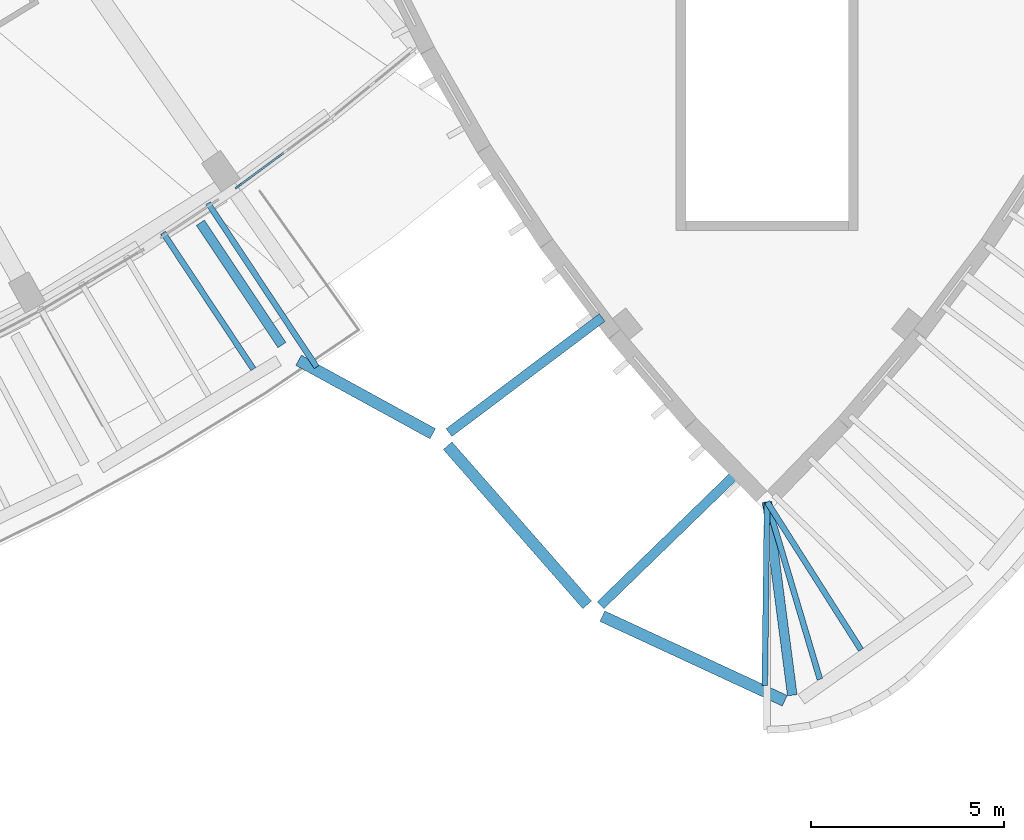
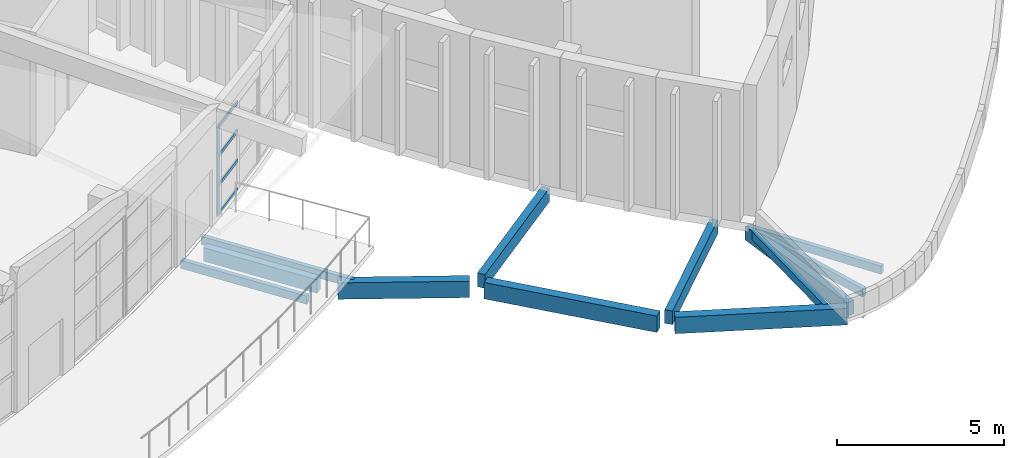
# One storey, part 22 of 93: 12 beams, 5 members, 1 element without a shape of its own.
"""IFC4 building model written with IfcOpenShell, lengths in metres."""

from ifc_helpers import new_model, si_unit, direction, frame, origin, origin_2d, place, context, subcontext, project, spatial, rectangle, extrude, material, material_profile, profile_set, type_object, element, aggregate, save


model = new_model("IFC4")

# Units and contexts
model_context = context("Model", 3, precision=1e-05, world=origin(), true_north=direction((0.0, 1.0)))
body_context = subcontext(model_context, "Body", "Model", "MODEL_VIEW")
ifc_project = project(units=[si_unit("LENGTHUNIT", "METRE"), si_unit("AREAUNIT", "SQUARE_METRE"), si_unit("VOLUMEUNIT", "CUBIC_METRE"), si_unit("PLANEANGLEUNIT", "RADIAN"), si_unit("MASSUNIT", "GRAM", prefix="KILO")], contexts=[model_context])

# Site, building, storey
site_placement = place(None, origin())
site = spatial("IfcSite", under=ifc_project, at=site_placement, CompositionType="ELEMENT")
building_placement = place(site_placement, origin())
building = spatial("IfcBuilding", under=site, at=building_placement, Name="Tide Square Theatres", CompositionType="ELEMENT")
storey_placement = place(building_placement, frame((0.0, 0.0, 5.39990234375)))
storey = spatial("IfcBuildingStorey", under=building, at=storey_placement, Name="L01", CompositionType="ELEMENT", Elevation=5.39990234375)

# Curtain wall, members
ifc_material_1 = material(Name="Aluminium 6063-T5", Category="aluminium")
curtain_wall_type = type_object("IfcCurtainWallType", Name="Stick system curtain wall 3000 high", PredefinedType="USERDEFINED", material=ifc_material_1)
curtain_wall_placement = place(storey_placement, origin())
curtain_wall = element("IfcCurtainWall", 1, at=curtain_wall_placement, inside=storey, type_object=curtain_wall_type, Name="Foyer outer curtain wall", ObjectType="STICK SYSTEM", PredefinedType="USERDEFINED")
ifc_material_2 = material(Name="Aluminium 6063-T5", Category="aluminium")
ifc_material_profile_1 = material_profile(ifc_material_2, rectangle(XDim=0.050048828125, YDim=0.199951171875, at=origin_2d()))
ifc_profile_set_1 = profile_set([ifc_material_profile_1], Name="Aluminium 6063-T5")
member_type_1 = type_object("IfcMemberType", Name="Aluminium mullion 50 x 200", PredefinedType="MULLION", material=ifc_profile_set_1)
member_1_placement = place(storey_placement, frame((118.33984375, 18.9521484375, 0.0), z_axis=(0.0, 0.0, 1.0), x_axis=(-0.593507553151, 0.804828419201, 0.0)))
member_1 = element("IfcMember", 2, at=member_1_placement, type_object=member_type_1, Name="CW-10 mullion 1", PredefinedType="MULLION", context=body_context, shape_type="SweptSolid", body=[
    extrude(rectangle(XDim=0.050048828125, YDim=0.199951171875, at=origin_2d()), origin(), (0.0, 0.0, 1.0), 3.239013671875),
])
ifc_material_3 = material(Name="Aluminium 6063-T5", Category="aluminium")
ifc_material_profile_2 = material_profile(ifc_material_3, rectangle(XDim=0.050048828125, YDim=0.125, at=origin_2d()))
ifc_profile_set_2 = profile_set([ifc_material_profile_2], Name="Aluminium 6063-T5")
member_type_2 = type_object("IfcMemberType", Name="Aluminium transom 50 x 125", PredefinedType="USERDEFINED", material=ifc_profile_set_2)
member_2_placement = place(storey_placement, frame((118.360107421875, 18.966796875, 0.025146484375), z_axis=(0.804771152012, 0.593585202721, 0.0), x_axis=(-0.593585202721, 0.804771152012, 0.0)))
member_2 = element("IfcMember", 3, at=member_2_placement, type_object=member_type_2, Name="CW-10 transom 1.1", ObjectType="TRANSOM", PredefinedType="USERDEFINED", context=body_context, shape_type="SweptSolid", body=[
    extrude(rectangle(XDim=0.050048828125, YDim=0.125, at=origin_2d()), origin(), (0.0, 0.0, 1.0), 1.423095703125),
])
member_3_placement = place(storey_placement, frame((118.360107421875, 18.966796875, 1.07958984375), z_axis=(0.804771152012, 0.593585202721, 0.0), x_axis=(-0.593585202721, 0.804771152012, 0.0)))
member_3 = element("IfcMember", 4, at=member_3_placement, type_object=member_type_2, Name="CW-10 transom 1.2", ObjectType="TRANSOM", PredefinedType="USERDEFINED", context=body_context, shape_type="SweptSolid", body=[
    extrude(rectangle(XDim=0.050048828125, YDim=0.125, at=origin_2d()), origin(), (0.0, 0.0, 1.0), 1.423095703125),
])
member_4_placement = place(storey_placement, frame((118.360107421875, 18.966796875, 2.159423828125), z_axis=(0.804771152012, 0.593585202721, 0.0), x_axis=(-0.593585202721, 0.804771152012, 0.0)))
member_4 = element("IfcMember", 5, at=member_4_placement, type_object=member_type_2, Name="CW-10 transom 1.3", ObjectType="TRANSOM", PredefinedType="USERDEFINED", context=body_context, shape_type="SweptSolid", body=[
    extrude(rectangle(XDim=0.050048828125, YDim=0.125, at=origin_2d()), origin(), (0.0, 0.0, 1.0), 1.423095703125),
])
member_5_placement = place(storey_placement, frame((118.360107421875, 18.966796875, 3.214111328125), z_axis=(0.804771152012, 0.593585202721, 0.0), x_axis=(-0.593585202721, 0.804771152012, 0.0)))
member_5 = element("IfcMember", 6, at=member_5_placement, type_object=member_type_2, Name="CW-10 transom 1.4", ObjectType="TRANSOM", PredefinedType="USERDEFINED", context=body_context, shape_type="SweptSolid", body=[
    extrude(rectangle(XDim=0.050048828125, YDim=0.125, at=origin_2d()), origin(), (0.0, 0.0, 1.0), 1.423095703125),
])
aggregate(curtain_wall, [member_1, member_2, member_3, member_4, member_5])

# Beams
ifc_material_4 = material(Name="Concrete C35", Category="concrete")
ifc_material_profile_3 = material_profile(ifc_material_4, rectangle(XDim=0.14990234375, YDim=0.300048828125, at=origin_2d()))
ifc_profile_set_3 = profile_set([ifc_material_profile_3], Name="Concrete C35")
beam_type_1 = type_object("IfcBeamType", Name="RC arcade roof rib 150 x 300", PredefinedType="JOIST", material=ifc_profile_set_3)
beam_1_placement = place(storey_placement, frame((118.722900390625, 14.223388671875, -0.349853515625), z_axis=(-0.552498837897, 0.833513667628, 0.0), x_axis=(-0.833513667628, -0.552498837897, 0.0)))
element("IfcBeam", 7, at=beam_1_placement, inside=storey, type_object=beam_type_1, Name="Arcade roof rib", PredefinedType="JOIST", context=body_context, shape_type="SweptSolid", body=[
    extrude(rectangle(XDim=0.14990234375, YDim=0.300048828125, at=origin_2d()), origin(), (0.0, 0.0, 1.0), 4.2265625),
])
beam_2_placement = place(storey_placement, frame((120.35888671875, 14.274169921875, -0.349853515625), z_axis=(-0.552516937817, 0.83350166972, 0.0), x_axis=(-0.83350166972, -0.552516937817, 0.0)))
element("IfcBeam", 8, at=beam_2_placement, inside=storey, type_object=beam_type_1, Name="Arcade roof rib", PredefinedType="JOIST", context=body_context, shape_type="SweptSolid", body=[
    extrude(rectangle(XDim=0.14990234375, YDim=0.300048828125, at=origin_2d()), origin(), (0.0, 0.0, 1.0), 5.088134765625),
])
beam_3_placement = place(storey_placement, frame((131.937744140625, 6.04345703125, -0.349853515625), z_axis=(0.0131229049, 0.999913890976, 0.0), x_axis=(-0.999913890976, 0.0131229049, 0.0)))
element("IfcBeam", 9, at=beam_3_placement, inside=storey, type_object=beam_type_1, Name="Arcade roof rib", PredefinedType="JOIST", context=body_context, shape_type="SweptSolid", body=[
    extrude(rectangle(XDim=0.14990234375, YDim=0.300048828125, at=origin_2d()), origin(), (0.0, 0.0, 1.0), 4.744140625),
])
beam_4_placement = place(storey_placement, frame((133.364013671875, 6.206787109375, -0.349853515625), z_axis=(-0.285411694235, 0.958405010835, 0.0), x_axis=(-0.958405010835, -0.285411694235, 0.0)))
element("IfcBeam", 10, at=beam_4_placement, inside=storey, type_object=beam_type_1, Name="Arcade roof rib", PredefinedType="JOIST", context=body_context, shape_type="SweptSolid", body=[
    extrude(rectangle(XDim=0.14990234375, YDim=0.300048828125, at=origin_2d()), origin(), (0.0, 0.0, 1.0), 4.779052734375),
])
beam_5_placement = place(storey_placement, frame((134.42529296875, 6.968994140625, -0.349853515625), z_axis=(-0.536180312036, 0.844103472914, 0.0), x_axis=(-0.844103472914, -0.536180312036, 0.0)))
element("IfcBeam", 11, at=beam_5_placement, inside=storey, type_object=beam_type_1, Name="Arcade roof rib", PredefinedType="JOIST", context=body_context, shape_type="SweptSolid", body=[
    extrude(rectangle(XDim=0.14990234375, YDim=0.300048828125, at=origin_2d()), origin(), (0.0, 0.0, 1.0), 4.523193359375),
])
ifc_material_5 = material(Name="Concrete C35", Category="concrete")
ifc_material_profile_4 = material_profile(ifc_material_5, rectangle(XDim=0.25, YDim=0.5, at=origin_2d()))
ifc_profile_set_4 = profile_set([ifc_material_profile_4], Name="Concrete C35")
beam_type_2 = type_object("IfcBeamType", Name="RC beam 250 x 500", PredefinedType="BEAM", material=ifc_profile_set_4)
beam_6_placement = place(storey_placement, frame((119.462646484375, 14.843505859375, -0.449951171875), z_axis=(-0.554967040546, 0.831872336304, 0.0), x_axis=(-0.831872336304, -0.554967040546, 0.0)))
element("IfcBeam", 12, at=beam_6_placement, inside=storey, type_object=beam_type_2, Name="Arcade slab beam", PredefinedType="BEAM", context=body_context, shape_type="SweptSolid", body=[
    extrude(rectangle(XDim=0.25, YDim=0.5, at=origin_2d()), origin(), (0.0, 0.0, 1.0), 3.800048828125),
])
beam_7_placement = place(storey_placement, frame((123.778564453125, 12.581787109375, -0.449951171875), z_axis=(0.799431437288, 0.600757336264, 0.0), x_axis=(-0.600757336264, 0.799431437288, 0.0)))
element("IfcBeam", 13, at=beam_7_placement, inside=storey, type_object=beam_type_2, Name="Arcade slab beam", PredefinedType="BEAM", context=body_context, shape_type="SweptSolid", body=[
    extrude(rectangle(XDim=0.25, YDim=0.5, at=origin_2d()), origin(), (0.0, 0.0, 1.0), 4.94970703125),
])
beam_8_placement = place(storey_placement, frame((127.69384765625, 8.116943359375, -0.449951171875), z_axis=(0.717728574475, 0.696322980651, 0.0), x_axis=(-0.696322980651, 0.717728574475, 0.0)))
element("IfcBeam", 14, at=beam_8_placement, inside=storey, type_object=beam_type_2, Name="Arcade slab beam", PredefinedType="BEAM", context=body_context, shape_type="SweptSolid", body=[
    extrude(rectangle(XDim=0.25, YDim=0.5, at=origin_2d()), origin(), (0.0, 0.0, 1.0), 4.949951171875),
])
beam_9_placement = place(storey_placement, frame((132.64990234375, 5.795166015625, -0.449951171875), z_axis=(-0.129100748566, 0.991631482316, 0.0), x_axis=(-0.991631482316, -0.129100748566, 0.0)))
element("IfcBeam", 15, at=beam_9_placement, inside=storey, type_object=beam_type_2, Name="Arcade slab beam", PredefinedType="BEAM", context=body_context, shape_type="SweptSolid", body=[
    extrude(rectangle(XDim=0.25, YDim=0.5, at=origin_2d()), origin(), (0.0, 0.0, 1.0), 5.0341796875),
])
ifc_material_6 = material(Name="Concrete C35", Category="concrete")
ifc_material_profile_5 = material_profile(ifc_material_6, rectangle(XDim=0.300048828125, YDim=0.60009765625, at=origin_2d()))
ifc_profile_set_5 = profile_set([ifc_material_profile_5], Name="Concrete C35")
beam_type_3 = type_object("IfcBeamType", Name="RC beam 300 x 600", PredefinedType="BEAM", material=ifc_profile_set_5)
beam_10_placement = place(storey_placement, frame((119.892333984375, 14.449951171875, -0.5), z_axis=(0.877115472539, -0.480279551754, 0.0), x_axis=(0.480279551754, 0.877115472539, 0.0)))
element("IfcBeam", 16, at=beam_10_placement, inside=storey, type_object=beam_type_3, Name="Colonnade beam", PredefinedType="BEAM", context=body_context, shape_type="SweptSolid", body=[
    extrude(rectangle(XDim=0.300048828125, YDim=0.60009765625, at=origin_2d()), origin(), (0.0, 0.0, 1.0), 3.952880859375),
])
beam_11_placement = place(storey_placement, frame((123.743408203125, 12.243408203125, -0.5), z_axis=(0.659303716456, -0.751876724914, 0.0), x_axis=(0.751876724914, 0.659303716456, 0.0)))
element("IfcBeam", 17, at=beam_11_placement, inside=storey, type_object=beam_type_3, Name="Colonnade beam", PredefinedType="BEAM", context=body_context, shape_type="SweptSolid", body=[
    extrude(rectangle(XDim=0.300048828125, YDim=0.60009765625, at=origin_2d()), origin(), (0.0, 0.0, 1.0), 5.4697265625),
])
beam_12_placement = place(storey_placement, frame((127.7412109375, 7.837646484375, -0.5), z_axis=(0.907266447352, -0.420556290536, 0.0), x_axis=(0.420556290536, 0.907266447352, 0.0)))
element("IfcBeam", 18, at=beam_12_placement, inside=storey, type_object=beam_type_3, Name="Colonnade beam", PredefinedType="BEAM", context=body_context, shape_type="SweptSolid", body=[
    extrude(rectangle(XDim=0.300048828125, YDim=0.60009765625, at=origin_2d()), origin(), (0.0, 0.0, 1.0), 5.1962890625),
])

save(model, "model.ifc")
